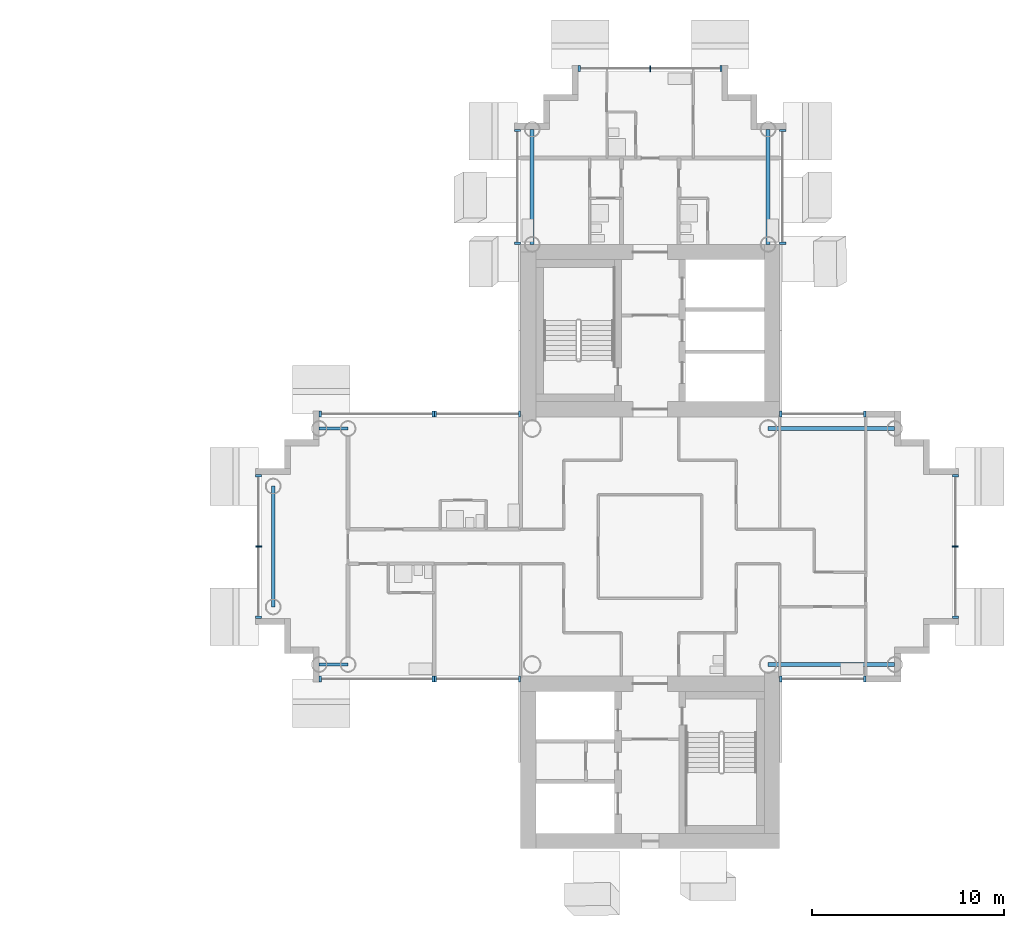
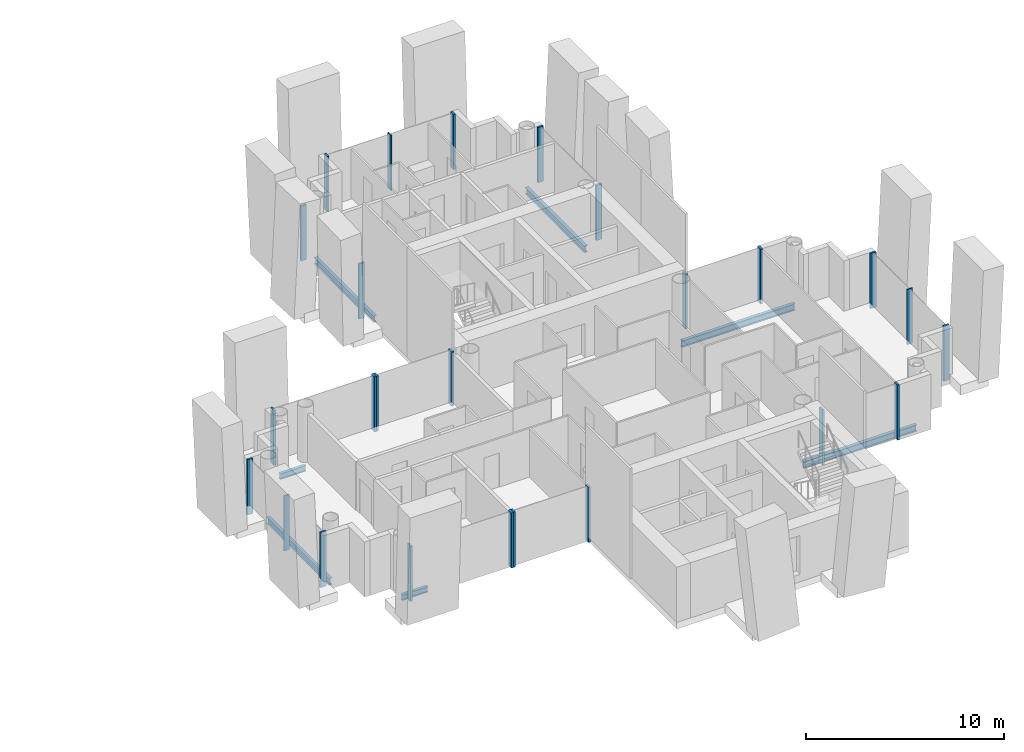
# One storey, part 4 of 18: 25 members, 7 beams, 11 elements without a shape of their own.
"""IFC4 building model written with IfcOpenShell, lengths in metres."""

from ifc_helpers import new_model, si_unit, direction, frame, origin, origin_2d, place, context, subcontext, project, spatial, rectangle, i_section, extrude, material, layer, layer_set, material_profile, profile_set, type_object, element, aggregate, save


model = new_model("IFC4")

# Units and contexts
model_context = context("Model", 3, precision=1e-05, world=origin(), true_north=direction((0.0, 1.0)))
body_context = subcontext(model_context, "Body", "Model", "MODEL_VIEW")
ifc_project = project(units=[si_unit("LENGTHUNIT", "METRE"), si_unit("AREAUNIT", "SQUARE_METRE"), si_unit("VOLUMEUNIT", "CUBIC_METRE"), si_unit("PLANEANGLEUNIT", "RADIAN"), si_unit("MASSUNIT", "GRAM", prefix="KILO")], contexts=[model_context])

# Site, building, storey
site_placement = place(None, origin())
site = spatial("IfcSite", under=ifc_project, at=site_placement, CompositionType="ELEMENT")
building_placement = place(site_placement, origin())
building = spatial("IfcBuilding", under=site, at=building_placement, Name="Ipe Terrace Towers", CompositionType="ELEMENT")
storey_placement = place(building_placement, frame((0.0, 0.0, 171.10009765625)))
storey = spatial("IfcBuildingStorey", under=building, at=storey_placement, Name="L47", CompositionType="ELEMENT", Elevation=171.10009765625)

# Beams
ifc_material_1 = material(Name="Steel S355", Category="steel")
ifc_material_profile_1 = material_profile(ifc_material_1, i_section(OverallWidth=0.175048828125, OverallDepth=0.35009765625, WebThickness=0.007080078125, FlangeThickness=0.010986328125, at=origin_2d()), Name="H-350x175x7x11")
ifc_profile_set_1 = profile_set([ifc_material_profile_1], Name="Steel S355")
beam_type_1 = type_object("IfcBeamType", Name="H04 EDGE BEAM H-350x175x7x11", PredefinedType="BEAM", material=ifc_profile_set_1)
for number, where, z_axis, x_axis, name in (
    (1, (20.25, 6.14990234375, -0.5751953125), (-1.0, 0.0, 0.0), (0.0, -1.0, 0.0), "Edge beam T2-EB-B03-B05"),
    (2, (20.25, -6.14990234375, -0.5751953125), (-1.0, 0.0, 0.0), (0.0, -1.0, 0.0), "Edge beam T2-EB-B04-B06"),
):
    element("IfcBeam", number, at=place(storey_placement, frame(where, z_axis=z_axis, x_axis=x_axis)), inside=storey, type_object=beam_type_1, Name=name, PredefinedType="BEAM", context=body_context, shape_type="SweptSolid", body=[
        extrude(i_section(OverallWidth=0.175048828125, OverallDepth=0.35009765625, WebThickness=0.007080078125, FlangeThickness=0.010986328125, at=origin_2d()), origin(), (0.0, 0.0, 1.0), 1.5),
    ])
ifc_material_2 = material(Name="Steel S355", Category="steel")
ifc_material_profile_2 = material_profile(ifc_material_2, i_section(OverallWidth=0.199951171875, OverallDepth=0.39990234375, WebThickness=0.008056640625, FlangeThickness=0.012939453125, at=origin_2d()), Name="H-400x200x8x13")
ifc_profile_set_2 = profile_set([ifc_material_profile_2], Name="Steel S355")
beam_type_2 = type_object("IfcBeamType", Name="H06 EDGE BEAM H-400x200x8x13", PredefinedType="BEAM", material=ifc_profile_set_2)
for number, where, z_axis, x_axis, name in (
    (3, (42.14990234375, 15.75, -0.60009765625), (0.0, 1.0, 0.0), (-1.0, 0.0, 0.0), "Edge beam T2-EB-A01-A03"),
    (4, (29.85009765625, 15.75, -0.60009765625), (0.0, 1.0, 0.0), (-1.0, 0.0, 0.0), "Edge beam T2-EB-A02-A04"),
):
    element("IfcBeam", number, at=place(storey_placement, frame(where, z_axis=z_axis, x_axis=x_axis)), inside=storey, type_object=beam_type_2, Name=name, PredefinedType="BEAM", context=body_context, shape_type="SweptSolid", body=[
        extrude(i_section(OverallWidth=0.199951171875, OverallDepth=0.39990234375, WebThickness=0.008056640625, FlangeThickness=0.012939453125, at=origin_2d()), origin(), (0.0, 0.0, 1.0), 6.0),
    ])
beam_placement = place(storey_placement, frame((16.35009765625, 3.14990234375, -0.60009765625), z_axis=(0.0, -1.0, 0.0), x_axis=(1.0, 0.0, 0.0)))
element("IfcBeam", 5, at=beam_placement, inside=storey, type_object=beam_type_2, Name="Edge beam T2-EB-B07-B08", PredefinedType="BEAM", context=body_context, shape_type="SweptSolid", body=[
    extrude(i_section(OverallWidth=0.199951171875, OverallDepth=0.39990234375, WebThickness=0.008056640625, FlangeThickness=0.012939453125, at=origin_2d()), origin(), (0.0, 0.0, 1.0), 6.2998046875),
])
for number, where, z_axis, x_axis, name in (
    (6, (48.75, -6.14990234375, -0.60009765625), (-1.0, 0.0, 0.0), (0.0, -1.0, 0.0), "Edge beam T2-EB-D01-E01"),
    (7, (48.75, 6.14990234375, -0.60009765625), (-1.0, 0.0, 0.0), (0.0, -1.0, 0.0), "Edge beam T2-EB-D02-E02"),
):
    element("IfcBeam", number, at=place(storey_placement, frame(where, z_axis=z_axis, x_axis=x_axis)), inside=storey, type_object=beam_type_2, Name=name, PredefinedType="BEAM", context=body_context, shape_type="SweptSolid", body=[
        extrude(i_section(OverallWidth=0.199951171875, OverallDepth=0.39990234375, WebThickness=0.008056640625, FlangeThickness=0.012939453125, at=origin_2d()), origin(), (0.0, 0.0, 1.0), 6.60009765625),
    ])

# Curtain wall, members
ifc_material_3 = material(Name="Aluminium alloy 6063-T6", Category="aluminium")
ifc_layer = layer(ifc_material_3, 0.320068359375)
ifc_layer_set = layer_set([ifc_layer], Name="TOWER UNITISED CURTAIN WALL")
curtain_wall_type = type_object("IfcCurtainWallType", Name="TOWER UNITISED CURTAIN WALL", PredefinedType="NOTDEFINED", material=ifc_layer_set)
curtain_wall_1_placement = place(storey_placement, origin())
curtain_wall_1 = element("IfcCurtainWall", 8, at=curtain_wall_1_placement, inside=storey, type_object=curtain_wall_type, Name="T2-CW-L47-02a curtain wall", PredefinedType="NOTDEFINED")
ifc_material_4 = material(Name="Aluminium alloy 6063-T6", Category="aluminium")
ifc_material_profile_3 = material_profile(ifc_material_4, rectangle(XDim=0.320068359375, YDim=0.1201171875, at=origin_2d()), Name="TOWER UNITISED CORNER MULLION 320 x 120")
ifc_profile_set_3 = profile_set([ifc_material_profile_3], Name="Aluminium alloy 6063-T6")
member_type_1 = type_object("IfcMemberType", Name="TOWER UNITISED CORNER MULLION 320 x 120", PredefinedType="MULLION", material=ifc_profile_set_3)
member_1_placement = place(storey_placement, frame((42.81005859375, -6.909912109375, -0.300048828125), z_axis=(0.0, 0.0, 1.0), x_axis=(0.0, -1.0, 0.0)))
member_1 = element("IfcMember", 9, at=member_1_placement, type_object=member_type_1, Name="T2-CW-L47-02a mullion 1", PredefinedType="MULLION", context=body_context, shape_type="SweptSolid", body=[
    extrude(rectangle(XDim=0.320068359375, YDim=0.1201171875, at=origin_2d()), origin(), (0.0, 0.0, 1.0), 3.39990234375),
])
member_2_placement = place(storey_placement, frame((47.18994140625, -6.909912109375, -0.300048828125), z_axis=(0.0, 0.0, 1.0), x_axis=(0.0, -1.0, 0.0)))
member_2 = element("IfcMember", 10, at=member_2_placement, type_object=member_type_1, Name="T2-CW-L47-02a mullion 2", PredefinedType="MULLION", context=body_context, shape_type="SweptSolid", body=[
    extrude(rectangle(XDim=0.320068359375, YDim=0.1201171875, at=origin_2d()), origin(), (0.0, 0.0, 1.0), 3.39990234375),
])
aggregate(curtain_wall_1, [member_1, member_2])

curtain_wall_2_placement = place(storey_placement, origin())
curtain_wall_2 = element("IfcCurtainWall", 11, at=curtain_wall_2_placement, inside=storey, type_object=curtain_wall_type, Name="T2-CW-L47-08a curtain wall", PredefinedType="NOTDEFINED")
member_3_placement = place(storey_placement, frame((51.909912109375, -3.68994140625, -0.300048828125), z_axis=(0.0, 0.0, 1.0), x_axis=(1.0, 0.0, 0.0)))
member_3 = element("IfcMember", 12, at=member_3_placement, type_object=member_type_1, Name="T2-CW-L47-08a mullion 1", PredefinedType="MULLION", context=body_context, shape_type="SweptSolid", body=[
    extrude(rectangle(XDim=0.320068359375, YDim=0.1201171875, at=origin_2d()), origin(), (0.0, 0.0, 1.0), 3.39990234375),
])
member_4_placement = place(storey_placement, frame((51.909912109375, 3.68994140625, -0.300048828125), z_axis=(0.0, 0.0, 1.0), x_axis=(1.0, 0.0, 0.0)))
member_4 = element("IfcMember", 13, at=member_4_placement, type_object=member_type_1, Name="T2-CW-L47-08a mullion 3", PredefinedType="MULLION", context=body_context, shape_type="SweptSolid", body=[
    extrude(rectangle(XDim=0.320068359375, YDim=0.1201171875, at=origin_2d()), origin(), (0.0, 0.0, 1.0), 3.39990234375),
])

curtain_wall_3_placement = place(storey_placement, origin())
curtain_wall_3 = element("IfcCurtainWall", 14, at=curtain_wall_3_placement, inside=storey, type_object=curtain_wall_type, Name="T2-CW-L47-14a curtain wall", PredefinedType="NOTDEFINED")
member_5_placement = place(storey_placement, frame((47.18994140625, 6.909912109375, -0.300048828125), z_axis=(0.0, 0.0, 1.0), x_axis=(0.0, 1.0, 0.0)))
member_5 = element("IfcMember", 15, at=member_5_placement, type_object=member_type_1, Name="T2-CW-L47-14a mullion 1", PredefinedType="MULLION", context=body_context, shape_type="SweptSolid", body=[
    extrude(rectangle(XDim=0.320068359375, YDim=0.1201171875, at=origin_2d()), origin(), (0.0, 0.0, 1.0), 3.39990234375),
])
member_6_placement = place(storey_placement, frame((42.81005859375, 6.909912109375, -0.300048828125), z_axis=(0.0, 0.0, 1.0), x_axis=(0.0, 1.0, 0.0)))
member_6 = element("IfcMember", 16, at=member_6_placement, type_object=member_type_1, Name="T2-CW-L47-14a mullion 2", PredefinedType="MULLION", context=body_context, shape_type="SweptSolid", body=[
    extrude(rectangle(XDim=0.320068359375, YDim=0.1201171875, at=origin_2d()), origin(), (0.0, 0.0, 1.0), 3.39990234375),
])
aggregate(curtain_wall_3, [member_5, member_6])

curtain_wall_4_placement = place(storey_placement, origin())
curtain_wall_4 = element("IfcCurtainWall", 17, at=curtain_wall_4_placement, inside=storey, type_object=curtain_wall_type, Name="T2-CW-L47-16b curtain wall", PredefinedType="NOTDEFINED")
member_7_placement = place(storey_placement, frame((42.909912109375, 15.81103515625, -0.300048828125), z_axis=(0.0, 0.0, 1.0), x_axis=(1.0, 0.0, 0.0)))
member_7 = element("IfcMember", 18, at=member_7_placement, type_object=member_type_1, Name="T2-CW-L47-16b mullion 1", PredefinedType="MULLION", context=body_context, shape_type="SweptSolid", body=[
    extrude(rectangle(XDim=0.320068359375, YDim=0.1201171875, at=origin_2d()), origin(), (0.0, 0.0, 1.0), 3.39990234375),
])
member_8_placement = place(storey_placement, frame((42.909912109375, 21.68994140625, -0.300048828125), z_axis=(0.0, 0.0, 1.0), x_axis=(1.0, 0.0, 0.0)))
member_8 = element("IfcMember", 19, at=member_8_placement, type_object=member_type_1, Name="T2-CW-L47-16b mullion 2", PredefinedType="MULLION", context=body_context, shape_type="SweptSolid", body=[
    extrude(rectangle(XDim=0.320068359375, YDim=0.1201171875, at=origin_2d()), origin(), (0.0, 0.0, 1.0), 3.39990234375),
])
aggregate(curtain_wall_4, [member_7, member_8])

curtain_wall_5_placement = place(storey_placement, origin())
curtain_wall_5 = element("IfcCurtainWall", 20, at=curtain_wall_5_placement, inside=storey, type_object=curtain_wall_type, Name="T2-CW-L47-21a curtain wall", PredefinedType="NOTDEFINED")
member_9_placement = place(storey_placement, frame((39.68994140625, 24.909912109375, -0.300048828125), z_axis=(0.0, 0.0, 1.0), x_axis=(0.0, 1.0, 0.0)))
member_9 = element("IfcMember", 21, at=member_9_placement, type_object=member_type_1, Name="T2-CW-L47-21a mullion 1", PredefinedType="MULLION", context=body_context, shape_type="SweptSolid", body=[
    extrude(rectangle(XDim=0.320068359375, YDim=0.1201171875, at=origin_2d()), origin(), (0.0, 0.0, 1.0), 3.39990234375),
])
member_10_placement = place(storey_placement, frame((32.31005859375, 24.909912109375, -0.300048828125), z_axis=(0.0, 0.0, 1.0), x_axis=(0.0, 1.0, 0.0)))
member_10 = element("IfcMember", 22, at=member_10_placement, type_object=member_type_1, Name="T2-CW-L47-21a mullion 3", PredefinedType="MULLION", context=body_context, shape_type="SweptSolid", body=[
    extrude(rectangle(XDim=0.320068359375, YDim=0.1201171875, at=origin_2d()), origin(), (0.0, 0.0, 1.0), 3.39990234375),
])

curtain_wall_6_placement = place(storey_placement, origin())
curtain_wall_6 = element("IfcCurtainWall", 23, at=curtain_wall_6_placement, inside=storey, type_object=curtain_wall_type, Name="T2-CW-L47-26a curtain wall", PredefinedType="NOTDEFINED")
member_11_placement = place(storey_placement, frame((29.090087890625, 21.68994140625, -0.300048828125), z_axis=(0.0, 0.0, 1.0), x_axis=(-1.0, 0.0, 0.0)))
member_11 = element("IfcMember", 24, at=member_11_placement, type_object=member_type_1, Name="T2-CW-L47-26a mullion 1", PredefinedType="MULLION", context=body_context, shape_type="SweptSolid", body=[
    extrude(rectangle(XDim=0.320068359375, YDim=0.1201171875, at=origin_2d()), origin(), (0.0, 0.0, 1.0), 3.39990234375),
])
member_12_placement = place(storey_placement, frame((29.090087890625, 15.81103515625, -0.300048828125), z_axis=(0.0, 0.0, 1.0), x_axis=(-1.0, 0.0, 0.0)))
member_12 = element("IfcMember", 25, at=member_12_placement, type_object=member_type_1, Name="T2-CW-L47-26a mullion 2", PredefinedType="MULLION", context=body_context, shape_type="SweptSolid", body=[
    extrude(rectangle(XDim=0.320068359375, YDim=0.1201171875, at=origin_2d()), origin(), (0.0, 0.0, 1.0), 3.39990234375),
])
aggregate(curtain_wall_6, [member_11, member_12])

curtain_wall_7_placement = place(storey_placement, origin())
curtain_wall_7 = element("IfcCurtainWall", 26, at=curtain_wall_7_placement, inside=storey, type_object=curtain_wall_type, Name="T2-CW-L47-28a curtain wall", PredefinedType="NOTDEFINED")
member_13_placement = place(storey_placement, frame((29.18994140625, 6.909912109375, -0.300048828125), z_axis=(0.0, 0.0, 1.0), x_axis=(0.0, 1.0, 0.0)))
member_13 = element("IfcMember", 27, at=member_13_placement, type_object=member_type_1, Name="T2-CW-L47-28a mullion 1", PredefinedType="MULLION", context=body_context, shape_type="SweptSolid", body=[
    extrude(rectangle(XDim=0.320068359375, YDim=0.1201171875, at=origin_2d()), origin(), (0.0, 0.0, 1.0), 3.39990234375),
])
member_14_placement = place(storey_placement, frame((24.81005859375, 6.909912109375, -0.300048828125), z_axis=(0.0, 0.0, 1.0), x_axis=(0.0, 1.0, 0.0)))
member_14 = element("IfcMember", 28, at=member_14_placement, type_object=member_type_1, Name="T2-CW-L47-28a mullion 2", PredefinedType="MULLION", context=body_context, shape_type="SweptSolid", body=[
    extrude(rectangle(XDim=0.320068359375, YDim=0.1201171875, at=origin_2d()), origin(), (0.0, 0.0, 1.0), 3.39990234375),
])
aggregate(curtain_wall_7, [member_13, member_14])

curtain_wall_8_placement = place(storey_placement, origin())
curtain_wall_8 = element("IfcCurtainWall", 29, at=curtain_wall_8_placement, inside=storey, type_object=curtain_wall_type, Name="T2-CW-L47-29a curtain wall", PredefinedType="NOTDEFINED")
member_15_placement = place(storey_placement, frame((24.68994140625, 6.909912109375, -0.300048828125), z_axis=(0.0, 0.0, 1.0), x_axis=(0.0, 1.0, 0.0)))
member_15 = element("IfcMember", 30, at=member_15_placement, type_object=member_type_1, Name="T2-CW-L47-29a mullion 1", PredefinedType="MULLION", context=body_context, shape_type="SweptSolid", body=[
    extrude(rectangle(XDim=0.320068359375, YDim=0.1201171875, at=origin_2d()), origin(), (0.0, 0.0, 1.0), 3.39990234375),
])
member_16_placement = place(storey_placement, frame((18.81005859375, 6.909912109375, -0.300048828125), z_axis=(0.0, 0.0, 1.0), x_axis=(0.0, 1.0, 0.0)))
member_16 = element("IfcMember", 31, at=member_16_placement, type_object=member_type_1, Name="T2-CW-L47-29a mullion 2", PredefinedType="MULLION", context=body_context, shape_type="SweptSolid", body=[
    extrude(rectangle(XDim=0.320068359375, YDim=0.1201171875, at=origin_2d()), origin(), (0.0, 0.0, 1.0), 3.39990234375),
])
aggregate(curtain_wall_8, [member_15, member_16])

curtain_wall_9_placement = place(storey_placement, origin())
curtain_wall_9 = element("IfcCurtainWall", 32, at=curtain_wall_9_placement, inside=storey, type_object=curtain_wall_type, Name="T2-CW-L47-34a curtain wall", PredefinedType="NOTDEFINED")
member_17_placement = place(storey_placement, frame((15.590087890625, 3.68994140625, -0.300048828125), z_axis=(0.0, 0.0, 1.0), x_axis=(-1.0, 0.0, 0.0)))
member_17 = element("IfcMember", 33, at=member_17_placement, type_object=member_type_1, Name="T2-CW-L47-34a mullion 1", PredefinedType="MULLION", context=body_context, shape_type="SweptSolid", body=[
    extrude(rectangle(XDim=0.320068359375, YDim=0.1201171875, at=origin_2d()), origin(), (0.0, 0.0, 1.0), 3.39990234375),
])
member_18_placement = place(storey_placement, frame((15.590087890625, -3.68994140625, -0.300048828125), z_axis=(0.0, 0.0, 1.0), x_axis=(-1.0, 0.0, 0.0)))
member_18 = element("IfcMember", 34, at=member_18_placement, type_object=member_type_1, Name="T2-CW-L47-34a mullion 3", PredefinedType="MULLION", context=body_context, shape_type="SweptSolid", body=[
    extrude(rectangle(XDim=0.320068359375, YDim=0.1201171875, at=origin_2d()), origin(), (0.0, 0.0, 1.0), 3.39990234375),
])

curtain_wall_10_placement = place(storey_placement, origin())
curtain_wall_10 = element("IfcCurtainWall", 35, at=curtain_wall_10_placement, inside=storey, type_object=curtain_wall_type, Name="T2-CW-L47-39a curtain wall", PredefinedType="NOTDEFINED")
member_19_placement = place(storey_placement, frame((18.81005859375, -6.909912109375, -0.300048828125), z_axis=(0.0, 0.0, 1.0), x_axis=(0.0, -1.0, 0.0)))
member_19 = element("IfcMember", 36, at=member_19_placement, type_object=member_type_1, Name="T2-CW-L47-39a mullion 1", PredefinedType="MULLION", context=body_context, shape_type="SweptSolid", body=[
    extrude(rectangle(XDim=0.320068359375, YDim=0.1201171875, at=origin_2d()), origin(), (0.0, 0.0, 1.0), 3.39990234375),
])
member_20_placement = place(storey_placement, frame((24.68994140625, -6.909912109375, -0.300048828125), z_axis=(0.0, 0.0, 1.0), x_axis=(0.0, -1.0, 0.0)))
member_20 = element("IfcMember", 37, at=member_20_placement, type_object=member_type_1, Name="T2-CW-L47-39a mullion 2", PredefinedType="MULLION", context=body_context, shape_type="SweptSolid", body=[
    extrude(rectangle(XDim=0.320068359375, YDim=0.1201171875, at=origin_2d()), origin(), (0.0, 0.0, 1.0), 3.39990234375),
])
aggregate(curtain_wall_10, [member_19, member_20])

curtain_wall_11_placement = place(storey_placement, origin())
curtain_wall_11 = element("IfcCurtainWall", 38, at=curtain_wall_11_placement, inside=storey, type_object=curtain_wall_type, Name="T2-CW-L47-40a curtain wall", PredefinedType="NOTDEFINED")
member_21_placement = place(storey_placement, frame((24.81005859375, -6.909912109375, -0.300048828125), z_axis=(0.0, 0.0, 1.0), x_axis=(0.0, -1.0, 0.0)))
member_21 = element("IfcMember", 39, at=member_21_placement, type_object=member_type_1, Name="T2-CW-L47-40a mullion 1", PredefinedType="MULLION", context=body_context, shape_type="SweptSolid", body=[
    extrude(rectangle(XDim=0.320068359375, YDim=0.1201171875, at=origin_2d()), origin(), (0.0, 0.0, 1.0), 3.39990234375),
])
member_22_placement = place(storey_placement, frame((29.18994140625, -6.909912109375, -0.300048828125), z_axis=(0.0, 0.0, 1.0), x_axis=(0.0, -1.0, 0.0)))
member_22 = element("IfcMember", 40, at=member_22_placement, type_object=member_type_1, Name="T2-CW-L47-40a mullion 2", PredefinedType="MULLION", context=body_context, shape_type="SweptSolid", body=[
    extrude(rectangle(XDim=0.320068359375, YDim=0.1201171875, at=origin_2d()), origin(), (0.0, 0.0, 1.0), 3.39990234375),
])
aggregate(curtain_wall_11, [member_21, member_22])

# Member
ifc_material_5 = material(Name="Aluminium alloy 6063-T6", Category="aluminium")
ifc_material_profile_4 = material_profile(ifc_material_5, rectangle(XDim=0.320068359375, YDim=0.06494140625, at=origin_2d()), Name="TOWER UNITISED MULLION 320 x 65")
ifc_profile_set_4 = profile_set([ifc_material_profile_4], Name="Aluminium alloy 6063-T6")
member_type_2 = type_object("IfcMemberType", Name="TOWER UNITISED MULLION 320 x 65", PredefinedType="MULLION", material=ifc_profile_set_4)
member_23_placement = place(storey_placement, frame((51.909912109375, 0.0, -0.300048828125), z_axis=(0.0, 0.0, 1.0), x_axis=(1.0, 0.0, 0.0)))
member_23 = element("IfcMember", 41, at=member_23_placement, type_object=member_type_2, Name="T2-CW-L47-08a mullion 2", PredefinedType="MULLION", context=body_context, shape_type="SweptSolid", body=[
    extrude(rectangle(XDim=0.320068359375, YDim=0.06494140625, at=origin_2d()), origin(), (0.0, 0.0, 1.0), 3.39990234375),
])

aggregate(curtain_wall_2, [member_3, member_23, member_4])

member_24_placement = place(storey_placement, frame((36.0, 24.909912109375, -0.300048828125), z_axis=(0.0, 0.0, 1.0), x_axis=(0.0, 1.0, 0.0)))
member_24 = element("IfcMember", 42, at=member_24_placement, type_object=member_type_2, Name="T2-CW-L47-21a mullion 2", PredefinedType="MULLION", context=body_context, shape_type="SweptSolid", body=[
    extrude(rectangle(XDim=0.320068359375, YDim=0.06494140625, at=origin_2d()), origin(), (0.0, 0.0, 1.0), 3.39990234375),
])

aggregate(curtain_wall_5, [member_9, member_24, member_10])

member_25_placement = place(storey_placement, frame((15.590087890625, 0.0, -0.300048828125), z_axis=(0.0, 0.0, 1.0), x_axis=(-1.0, 0.0, 0.0)))
member_25 = element("IfcMember", 43, at=member_25_placement, type_object=member_type_2, Name="T2-CW-L47-34a mullion 2", PredefinedType="MULLION", context=body_context, shape_type="SweptSolid", body=[
    extrude(rectangle(XDim=0.320068359375, YDim=0.06494140625, at=origin_2d()), origin(), (0.0, 0.0, 1.0), 3.39990234375),
])

aggregate(curtain_wall_9, [member_17, member_25, member_18])

save(model, "model.ifc")
